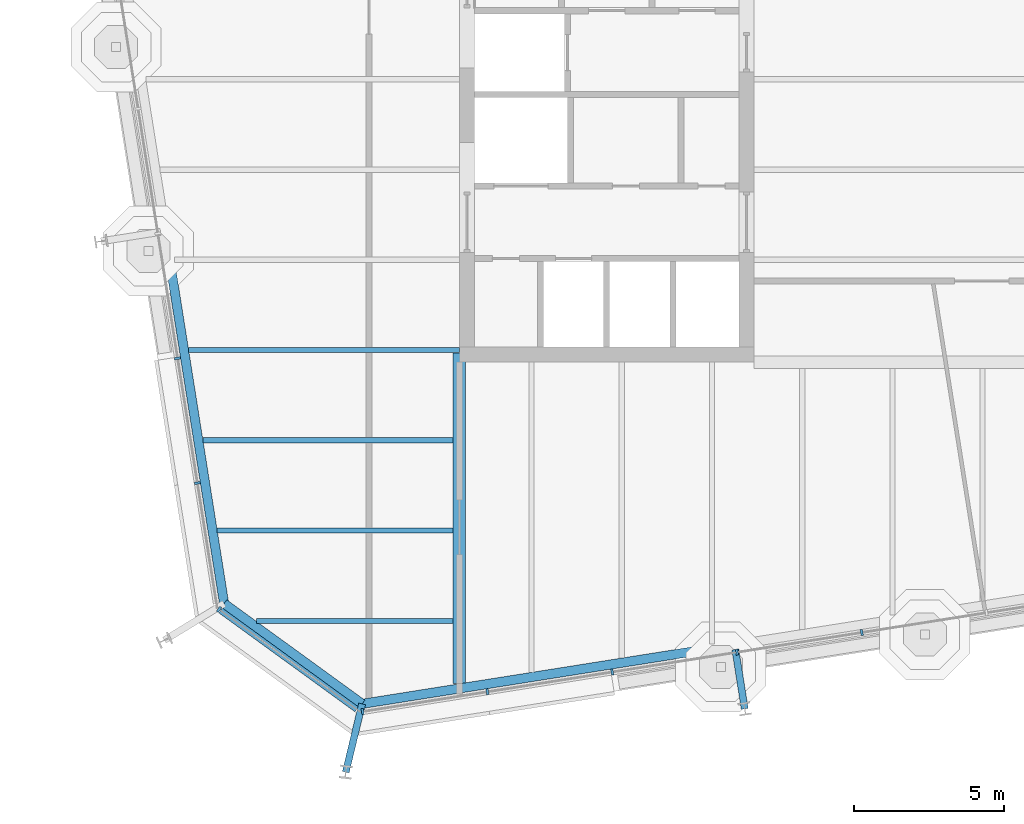
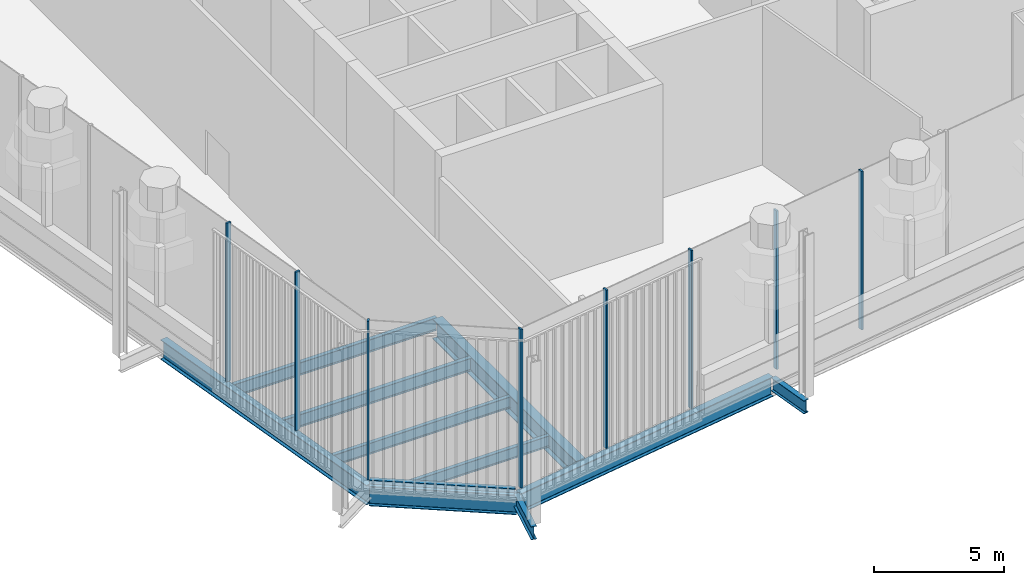
# One storey, part 2 of 17: 10 beams, 9 members, 3 elements without a shape of their own.
"""IFC4 building model written with IfcOpenShell, lengths in metres."""

from ifc_helpers import new_model, si_unit, direction, frame, origin, origin_2d, place, context, subcontext, project, spatial, rectangle, i_section, extrude, material, layer, layer_set, material_profile, profile_set, type_object, element, aggregate, save


model = new_model("IFC4")

# Units and contexts
model_context = context("Model", 3, precision=1e-05, world=origin(), true_north=direction((0.0, 1.0)))
body_context = subcontext(model_context, "Body", "Model", "MODEL_VIEW")
ifc_project = project(units=[si_unit("LENGTHUNIT", "METRE"), si_unit("AREAUNIT", "SQUARE_METRE"), si_unit("VOLUMEUNIT", "CUBIC_METRE"), si_unit("PLANEANGLEUNIT", "RADIAN"), si_unit("MASSUNIT", "GRAM", prefix="KILO")], contexts=[model_context])

# Site, building, storey
site_placement = place(None, origin())
site = spatial("IfcSite", under=ifc_project, at=site_placement, CompositionType="ELEMENT")
building_placement = place(site_placement, origin())
building = spatial("IfcBuilding", under=site, at=building_placement, Name="Millrace Tower", CompositionType="ELEMENT")
storey_placement = place(building_placement, frame((0.0, 0.0, 239.800048828125)))
storey = spatial("IfcBuildingStorey", under=building, at=storey_placement, Name="L55", CompositionType="ELEMENT", Elevation=239.800048828125)

# Curtain wall, member
ifc_material_1 = material(Name="Aluminium and glass", Category="aluminium")
ifc_layer = layer(ifc_material_1, 0.199951171875)
ifc_layer_set = layer_set([ifc_layer], Name="Aluminium and glass")
curtain_wall_type = type_object("IfcCurtainWallType", Name="CW-4 sky garden winter glazing", PredefinedType="NOTDEFINED", material=ifc_layer_set)
placement = place(storey_placement, origin())
curtain_wall_1 = element("IfcCurtainWall", 1, at=placement, inside=storey, type_object=curtain_wall_type, Name="Curtain wall D-F01 L55", PredefinedType="NOTDEFINED")
ifc_material_2 = material(Name="Aluminium", Category="aluminium")
ifc_material_profile_1 = material_profile(ifc_material_2, rectangle(XDim=0.080078125, YDim=0.199951171875, at=origin_2d()))
ifc_profile_set_1 = profile_set([ifc_material_profile_1], Name="Aluminium")
member_type_1 = type_object("IfcMemberType", Name="CW-4 sky garden winter glazing mullion", PredefinedType="MULLION", material=ifc_profile_set_1)
member_1_placement = place(storey_placement, frame((-22.38671875, -17.61962890625, 0.179931640625), z_axis=(0.0, 0.0, 1.0), x_axis=(0.809016955361, -0.587785305991, 0.0)))
member_1 = element("IfcMember", 2, at=member_1_placement, type_object=member_type_1, Name="CW4 mullion D-F01.1", PredefinedType="MULLION", context=body_context, shape_type="SweptSolid", body=[
    extrude(rectangle(XDim=0.080078125, YDim=0.199951171875, at=origin_2d()), origin(), (0.0, 0.0, 1.0), 7.419921875),
])

# Curtain wall, members
curtain_wall_2 = element("IfcCurtainWall", 3, at=placement, inside=storey, type_object=curtain_wall_type, Name="Curtain wall D-F02 L55", PredefinedType="NOTDEFINED")
member_2_placement = place(storey_placement, frame((-17.6142578125, -21.015869140625, 0.179931640625), z_axis=(0.0, 0.0, 1.0), x_axis=(0.987688339511, 0.156434471884, 0.0)))
member_2 = element("IfcMember", 4, at=member_2_placement, type_object=member_type_1, Name="CW4 mullion D-F02.1", PredefinedType="MULLION", context=body_context, shape_type="SweptSolid", body=[
    extrude(rectangle(XDim=0.080078125, YDim=0.199951171875, at=origin_2d()), origin(), (0.0, 0.0, 1.0), 7.419921875),
])
member_3_placement = place(storey_placement, frame((-13.4658203125, -20.35888671875, 0.179931640625), z_axis=(0.0, 0.0, 1.0), x_axis=(0.987688339511, 0.156434471884, 0.0)))
member_3 = element("IfcMember", 5, at=member_3_placement, type_object=member_type_1, Name="CW4 mullion D-F02.2", PredefinedType="MULLION", context=body_context, shape_type="SweptSolid", body=[
    extrude(rectangle(XDim=0.080078125, YDim=0.199951171875, at=origin_2d()), origin(), (0.0, 0.0, 1.0), 7.419921875),
])
member_4_placement = place(storey_placement, frame((-9.317626953125, -19.701904296875, 0.179931640625), z_axis=(0.0, 0.0, 1.0), x_axis=(0.987688339511, 0.156434471884, 0.0)))
member_4 = element("IfcMember", 6, at=member_4_placement, type_object=member_type_1, Name="CW4 mullion D-F02.3", PredefinedType="MULLION", context=body_context, shape_type="SweptSolid", body=[
    extrude(rectangle(XDim=0.080078125, YDim=0.199951171875, at=origin_2d()), origin(), (0.0, 0.0, 1.0), 7.419921875),
])
member_5_placement = place(storey_placement, frame((-5.169189453125, -19.044921875, 0.179931640625), z_axis=(0.0, 0.0, 1.0), x_axis=(0.987688339511, 0.156434471884, 0.0)))
member_5 = element("IfcMember", 7, at=member_5_placement, type_object=member_type_1, Name="CW4 mullion D-F02.4", PredefinedType="MULLION", context=body_context, shape_type="SweptSolid", body=[
    extrude(rectangle(XDim=0.080078125, YDim=0.199951171875, at=origin_2d()), origin(), (0.0, 0.0, 1.0), 7.419921875),
])
member_6_placement = place(storey_placement, frame((-1.02099609375, -18.387939453125, 0.179931640625), z_axis=(0.0, 0.0, 1.0), x_axis=(0.987688339511, 0.156434471884, 0.0)))
member_6 = element("IfcMember", 8, at=member_6_placement, type_object=member_type_1, Name="CW4 mullion D-F02.5", PredefinedType="MULLION", context=body_context, shape_type="SweptSolid", body=[
    extrude(rectangle(XDim=0.080078125, YDim=0.199951171875, at=origin_2d()), origin(), (0.0, 0.0, 1.0), 7.419921875),
])
aggregate(curtain_wall_2, [member_2, member_3, member_4, member_5, member_6])

curtain_wall_3 = element("IfcCurtainWall", 9, at=placement, inside=storey, type_object=curtain_wall_type, Name="Curtain wall D-F08 L55", PredefinedType="NOTDEFINED")
member_7_placement = place(storey_placement, frame((-23.766845703125, -9.27392578125, 0.179931640625), z_axis=(0.0, 0.0, 1.0), x_axis=(0.156434471884, -0.987688339511, 0.0)))
member_7 = element("IfcMember", 10, at=member_7_placement, type_object=member_type_1, Name="CW4 mullion D-F08.8", PredefinedType="MULLION", context=body_context, shape_type="SweptSolid", body=[
    extrude(rectangle(XDim=0.080078125, YDim=0.199951171875, at=origin_2d()), origin(), (0.0, 0.0, 1.0), 7.419921875),
])
member_8_placement = place(storey_placement, frame((-23.10986328125, -13.422119140625, 0.179931640625), z_axis=(0.0, 0.0, 1.0), x_axis=(0.156434471884, -0.987688339511, 0.0)))
member_8 = element("IfcMember", 11, at=member_8_placement, type_object=member_type_1, Name="CW4 mullion D-F08.9", PredefinedType="MULLION", context=body_context, shape_type="SweptSolid", body=[
    extrude(rectangle(XDim=0.080078125, YDim=0.199951171875, at=origin_2d()), origin(), (0.0, 0.0, 1.0), 7.419921875),
])
aggregate(curtain_wall_3, [member_7, member_8])

# Member
ifc_material_3 = material(Name="Aluminium", Category="aluminium")
ifc_material_profile_2 = material_profile(ifc_material_3, rectangle(XDim=0.199951171875, YDim=0.179931640625, at=origin_2d()))
ifc_profile_set_2 = profile_set([ifc_material_profile_2], Name="Aluminium")
member_type_2 = type_object("IfcMemberType", Name="CW-4 sky garden winter glazing transom", PredefinedType="USERDEFINED", material=ifc_profile_set_2)
member_9_placement = place(storey_placement, frame((-22.338134765625, -17.655029296875, 0.08984375), z_axis=(0.809018869857, -0.587782670904, 0.0), x_axis=(0.587782670904, 0.809018869857, 0.0)))
member_9 = element("IfcMember", 12, at=member_9_placement, type_object=member_type_2, Name="CW4 transom D-F01.1", ObjectType="TRANSOM", PredefinedType="USERDEFINED", context=body_context, shape_type="SweptSolid", body=[
    extrude(rectangle(XDim=0.199951171875, YDim=0.179931640625, at=origin_2d()), origin(), (0.0, 0.0, 1.0), 5.59814453125),
])

aggregate(curtain_wall_1, [member_1, member_9])

# Beams
ifc_material_4 = material(Name="Steel ASTM A992 Grade 50", Category="steel")
ifc_material_profile_3 = material_profile(ifc_material_4, i_section(OverallWidth=0.1650390625, OverallDepth=0.52587890625, WebThickness=0.0087890625, FlangeThickness=0.011474609375, FilletRadius=0.0126953125, at=origin_2d()))
ifc_profile_set_3 = profile_set([ifc_material_profile_3], Name="Steel ASTM A992 Grade 50")
beam_type_1 = type_object("IfcBeamType", Name="Floor beam W21x44", PredefinedType="JOIST", material=ifc_profile_set_3)
beam_1_placement = place(storey_placement, frame((-22.447509765625, -15.0, -0.512939453125), z_axis=(1.0, 0.0, 0.0), x_axis=(0.0, 1.0, 0.0)))
element("IfcBeam", 13, at=beam_1_placement, inside=storey, type_object=beam_type_1, Name="BM-D-L55-S1-S002", PredefinedType="JOIST", context=body_context, shape_type="SweptSolid", body=[
    extrude(i_section(OverallWidth=0.1650390625, OverallDepth=0.52587890625, WebThickness=0.0087890625, FlangeThickness=0.011474609375, FilletRadius=0.0126953125, at=origin_2d()), origin(), (0.0, 0.0, 1.0), 7.837890625),
])
beam_2_placement = place(storey_placement, frame((-21.13427734375, -18.0, -0.512939453125), z_axis=(1.0, 0.0, 0.0), x_axis=(0.0, 1.0, 0.0)))
element("IfcBeam", 14, at=beam_2_placement, inside=storey, type_object=beam_type_1, Name="BM-D-L55-S1-S001", PredefinedType="JOIST", context=body_context, shape_type="SweptSolid", body=[
    extrude(i_section(OverallWidth=0.1650390625, OverallDepth=0.52587890625, WebThickness=0.0087890625, FlangeThickness=0.011474609375, FilletRadius=0.0126953125, at=origin_2d()), origin(), (0.0, 0.0, 1.0), 6.524658203125),
])
ifc_material_5 = material(Name="Steel ASTM A992 Grade 50", Category="steel")
ifc_material_profile_4 = material_profile(ifc_material_5, i_section(OverallWidth=0.177978515625, OverallDepth=0.599365234375, WebThickness=0.010009765625, FlangeThickness=0.012939453125, FilletRadius=0.012939453125, at=origin_2d()))
ifc_profile_set_4 = profile_set([ifc_material_profile_4], Name="Steel ASTM A992 Grade 50")
beam_type_2 = type_object("IfcBeamType", Name="Floor beam W24x55", PredefinedType="JOIST", material=ifc_profile_set_4)
beam_3_placement = place(storey_placement, frame((-22.922607421875, -12.0, -0.5498046875), z_axis=(1.0, 0.0, 0.0), x_axis=(0.0, 1.0, 0.0)))
element("IfcBeam", 15, at=beam_3_placement, inside=storey, type_object=beam_type_2, Name="BM-D-L55-S1-S004", PredefinedType="JOIST", context=body_context, shape_type="SweptSolid", body=[
    extrude(i_section(OverallWidth=0.177978515625, OverallDepth=0.599365234375, WebThickness=0.010009765625, FlangeThickness=0.012939453125, FilletRadius=0.012939453125, at=origin_2d()), origin(), (0.0, 0.0, 1.0), 8.31298828125),
])
beam_4_placement = place(storey_placement, frame((-23.397705078125, -9.0, -0.5498046875), z_axis=(1.0, 0.0, 0.0), x_axis=(0.0, 1.0, 0.0)))
element("IfcBeam", 16, at=beam_4_placement, inside=storey, type_object=beam_type_2, Name="BM-D-L55-S1-S006", PredefinedType="JOIST", context=body_context, shape_type="SweptSolid", body=[
    extrude(i_section(OverallWidth=0.177978515625, OverallDepth=0.599365234375, WebThickness=0.010009765625, FlangeThickness=0.012939453125, FilletRadius=0.012939453125, at=origin_2d()), origin(), (0.0, 0.0, 1.0), 8.997802734375),
])
ifc_material_6 = material(Name="Steel ASTM A992 Grade 50", Category="steel")
ifc_material_profile_5 = material_profile(ifc_material_6, i_section(OverallWidth=0.419189453125, OverallDepth=0.927001953125, WebThickness=0.019287109375, FlangeThickness=0.031982421875, FilletRadius=0.024169921875, at=origin_2d()))
ifc_profile_set_5 = profile_set([ifc_material_profile_5], Name="Steel ASTM A992 Grade 50")
beam_type_3 = type_object("IfcBeamType", Name="Girder short span W36x231", PredefinedType="BEAM", material=ifc_profile_set_5)
beam_5_placement = place(storey_placement, frame((-14.39990234375, -20.08642578125, -0.713623046875), z_axis=(0.0, 1.0, 0.0), x_axis=(-1.0, 0.0, 0.0)))
element("IfcBeam", 17, at=beam_5_placement, inside=storey, type_object=beam_type_3, Name="BM-D-L55-S1-G055", PredefinedType="BEAM", context=body_context, shape_type="SweptSolid", body=[
    extrude(i_section(OverallWidth=0.419189453125, OverallDepth=0.927001953125, WebThickness=0.019287109375, FlangeThickness=0.031982421875, FilletRadius=0.024169921875, at=origin_2d()), origin(), (0.0, 0.0, 1.0), 10.994384765625),
])
ifc_material_7 = material(Name="Steel ASTM A992 Grade 50", Category="steel")
ifc_material_profile_6 = material_profile(ifc_material_7, i_section(OverallWidth=0.23046875, OverallDepth=0.6171875, WebThickness=0.01318359375, FlangeThickness=0.022216796875, FilletRadius=0.012939453125, at=origin_2d()))
ifc_profile_set_6 = profile_set([ifc_material_profile_6], Name="Steel ASTM A992 Grade 50")
beam_type_4 = type_object("IfcBeamType", Name="Link beam W24x94", PredefinedType="BEAM", material=ifc_profile_set_6)
beam_6_placement = place(storey_placement, frame((-5.224365234375, -18.952392578125, -0.55859375), z_axis=(0.15637629034, -0.987697552806, 0.0), x_axis=(0.987697552806, 0.15637629034, 0.0)))
element("IfcBeam", 18, at=beam_6_placement, inside=storey, type_object=beam_type_4, Name="LNK-D-L55-S1-15", PredefinedType="BEAM", context=body_context, shape_type="SweptSolid", body=[
    extrude(i_section(OverallWidth=0.23046875, OverallDepth=0.6171875, WebThickness=0.01318359375, FlangeThickness=0.022216796875, FilletRadius=0.012939453125, at=origin_2d()), origin(), (0.0, 0.0, 1.0), 2.0),
])
beam_7_placement = place(storey_placement, frame((-17.63037109375, -20.76171875, -0.55859375), z_axis=(-0.233456138164, -0.972367333652, 0.0), x_axis=(0.972367333652, -0.233456138164, 0.0)))
element("IfcBeam", 19, at=beam_7_placement, inside=storey, type_object=beam_type_4, Name="LNK-D-L55-S1-16", PredefinedType="BEAM", context=body_context, shape_type="SweptSolid", body=[
    extrude(i_section(OverallWidth=0.23046875, OverallDepth=0.6171875, WebThickness=0.01318359375, FlangeThickness=0.022216796875, FilletRadius=0.012939453125, at=origin_2d()), origin(), (0.0, 0.0, 1.0), 2.3310546875),
])
ifc_material_8 = material(Name="Steel ASTM A992 Grade 50", Category="steel")
ifc_material_profile_7 = material_profile(ifc_material_8, i_section(OverallWidth=0.307373046875, OverallDepth=0.927001953125, WebThickness=0.01953125, FlangeThickness=0.031982421875, FilletRadius=0.01904296875, at=origin_2d()))
ifc_profile_set_7 = profile_set([ifc_material_profile_7], Name="Steel ASTM A992 Grade 50")
beam_type_5 = type_object("IfcBeamType", Name="Ring beam medium span W36x194", PredefinedType="SPANDREL", material=ifc_profile_set_7)
beam_8_placement = place(storey_placement, frame((-22.218505859375, -17.428466796875, -0.713623046875), z_axis=(-0.156419577072, 0.987690698503, 0.0), x_axis=(-0.987690698503, -0.156419577072, 0.0)))
element("IfcBeam", 20, at=beam_8_placement, inside=storey, type_object=beam_type_5, Name="RNG-D-L55-S1-01", PredefinedType="SPANDREL", context=body_context, shape_type="SweptSolid", body=[
    extrude(i_section(OverallWidth=0.307373046875, OverallDepth=0.927001953125, WebThickness=0.01953125, FlangeThickness=0.031982421875, FilletRadius=0.01904296875, at=origin_2d()), origin(), (0.0, 0.0, 1.0), 12.536376953125),
])
beam_9_placement = place(storey_placement, frame((-5.24853515625, -18.800537109375, -0.713623046875), z_axis=(-0.987687213011, -0.156441584157, 0.0), x_axis=(0.156441584157, -0.987687213011, 0.0)))
element("IfcBeam", 21, at=beam_9_placement, inside=storey, type_object=beam_type_5, Name="RNG-D-L55-S1-15", PredefinedType="SPANDREL", context=body_context, shape_type="SweptSolid", body=[
    extrude(i_section(OverallWidth=0.307373046875, OverallDepth=0.927001953125, WebThickness=0.01953125, FlangeThickness=0.031982421875, FilletRadius=0.01904296875, at=origin_2d()), origin(), (0.0, 0.0, 1.0), 12.5361328125),
])
ifc_material_9 = material(Name="Steel ASTM A992 Grade 50", Category="steel")
ifc_material_profile_8 = material_profile(ifc_material_9, i_section(OverallWidth=0.307373046875, OverallDepth=0.927001953125, WebThickness=0.01953125, FlangeThickness=0.031982421875, FilletRadius=0.01904296875, at=origin_2d()))
ifc_profile_set_8 = profile_set([ifc_material_profile_8], Name="Steel ASTM A992 Grade 50")
beam_type_6 = type_object("IfcBeamType", Name="Ring beam short span W36x194", PredefinedType="SPANDREL", material=ifc_profile_set_8)
beam_10_placement = place(storey_placement, frame((-17.63037109375, -20.76171875, -0.713623046875), z_axis=(-0.809035699289, 0.587759506326, 0.0), x_axis=(-0.587759506326, -0.809035699289, 0.0)))
element("IfcBeam", 22, at=beam_10_placement, inside=storey, type_object=beam_type_6, Name="RNG-D-L55-S1-16", PredefinedType="SPANDREL", context=body_context, shape_type="SweptSolid", body=[
    extrude(i_section(OverallWidth=0.307373046875, OverallDepth=0.927001953125, WebThickness=0.01953125, FlangeThickness=0.031982421875, FilletRadius=0.01904296875, at=origin_2d()), origin(), (0.0, 0.0, 1.0), 5.671142578125),
])

save(model, "model.ifc")
